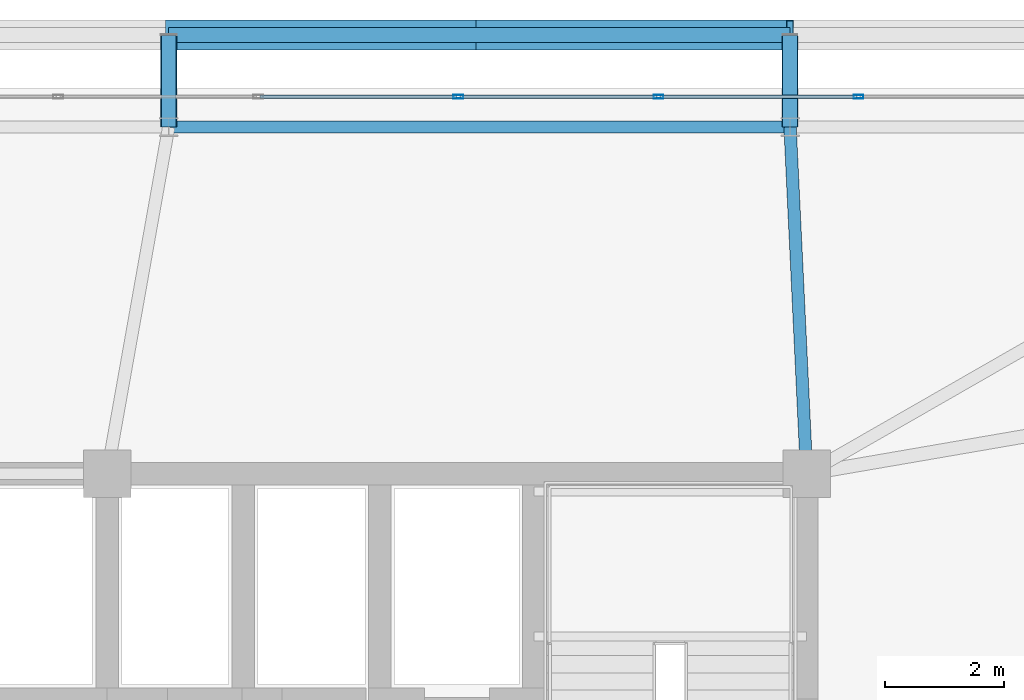
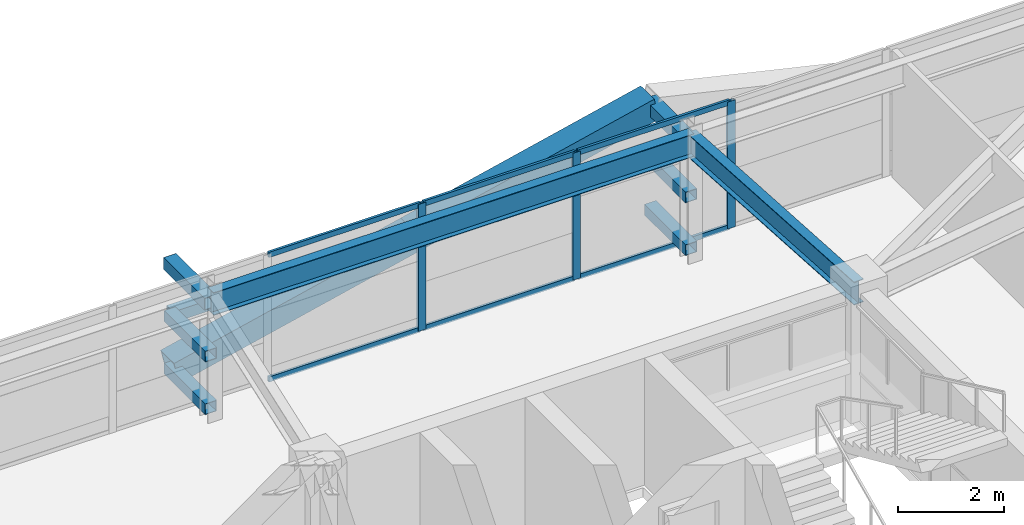
# One storey, part 38 of 58: 18 members, 2 beams, 1 element without a shape of its own.
"""IFC4 building model written with IfcOpenShell, lengths in metres."""

from ifc_helpers import new_model, si_unit, direction, frame, origin, origin_2d, place, context, subcontext, project, spatial, hollow_rectangle, i_section, extrude, source, transform, mapped, material, layer, layer_set, material_profile, profile_set, type_object, element, aggregate, save


model = new_model("IFC4")

# Units and contexts
model_context = context("Model", 3, precision=1e-05, world=origin(), true_north=direction((0.0, 1.0)))
body_context = subcontext(model_context, "Body", "Model", "MODEL_VIEW")
ifc_project = project(units=[si_unit("LENGTHUNIT", "METRE"), si_unit("AREAUNIT", "SQUARE_METRE"), si_unit("VOLUMEUNIT", "CUBIC_METRE"), si_unit("PLANEANGLEUNIT", "RADIAN"), si_unit("MASSUNIT", "GRAM", prefix="KILO")], contexts=[model_context])

# Site, building, storey
site_placement = place(None, origin())
site = spatial("IfcSite", under=ifc_project, at=site_placement, CompositionType="ELEMENT")
building_placement = place(site_placement, origin())
building = spatial("IfcBuilding", under=site, at=building_placement, Name="Taldren Reach Tower", CompositionType="ELEMENT")
storey_placement = place(building_placement, frame((0.0, 0.0, 32.550048828125)))
storey = spatial("IfcBuildingStorey", under=building, at=storey_placement, Name="L09", CompositionType="ELEMENT", Elevation=32.550048828125)

# Beams
ifc_material_1 = material(Name="Steel Gr 350 (350PLUS)", Category="steel")
ifc_material_profile_1 = material_profile(ifc_material_1, i_section(OverallWidth=0.208984375, OverallDepth=0.528076171875, WebThickness=0.009521484375, FlangeThickness=0.01318359375, at=origin_2d()), Name="530UB82.0")
ifc_profile_set_1 = profile_set([ifc_material_profile_1], Name="Steel Gr 350 (350PLUS)")
beam_type_1 = type_object("IfcBeamType", Name="SP-UB530B", PredefinedType="SPANDREL", material=ifc_profile_set_1)
shared_shape_1 = source(origin(), body_context, "Body", "SweptSolid", [
    extrude(i_section(OverallWidth=0.208984375, OverallDepth=0.528076171875, WebThickness=0.009521484375, FlangeThickness=0.01318359375, at=origin_2d()), origin(), (0.0, 0.0, 1.0), 10.47998046875),
])
beam_1_placement = place(storey_placement, frame((50.719970703125, 37.85009765625, 2.666015625), z_axis=(-1.0, 0.0, 0.0), x_axis=(0.0, -1.0, 0.0)))
element("IfcBeam", 1, at=beam_1_placement, inside=storey, type_object=beam_type_1, Name="Perimeter spandrel B1 N5-N4 L09", PredefinedType="SPANDREL", context=body_context, shape_type="MappedRepresentation", body=[
    mapped(shared_shape_1, transform((0.0, 0.0, 0.0), scale=1.0)),
])
ifc_material_profile_2 = material_profile(ifc_material_1, i_section(OverallWidth=0.208984375, OverallDepth=0.532958984375, WebThickness=0.01025390625, FlangeThickness=0.015625, at=origin_2d()), Name="530UB92.4")
ifc_profile_set_2 = profile_set([ifc_material_profile_2], Name="Steel Gr 350 (350PLUS)")
beam_type_2 = type_object("IfcBeamType", Name="BM-UB530A", PredefinedType="BEAM", material=ifc_profile_set_2)
shared_shape_2 = source(origin(), body_context, "Body", "SweptSolid", [
    extrude(i_section(OverallWidth=0.208984375, OverallDepth=0.532958984375, WebThickness=0.01025390625, FlangeThickness=0.015625, at=origin_2d()), origin(), (0.0, 0.0, 1.0), 5.856689453125),
])
beam_2_placement = place(storey_placement, frame((51.0, 32.0, 2.663330078125), z_axis=(-0.047812711672, 0.998856318297, 0.0), x_axis=(-0.998856318297, -0.047812711672, 0.0)))
element("IfcBeam", 2, at=beam_2_placement, inside=storey, type_object=beam_type_2, Name="Primary floor girder B1-N5 L09", PredefinedType="BEAM", context=body_context, shape_type="MappedRepresentation", body=[
    mapped(shared_shape_2, transform((0.0, 0.0, 0.0), scale=1.0)),
])

# Members
ifc_material_2 = material(Name="Steel Gr 450 (C450L0)", Category="steel")
ifc_material_profile_3 = material_profile(ifc_material_2, hollow_rectangle(XDim=0.27490234375, YDim=0.27490234375, WallThickness=0.00927734375, at=origin_2d()), Name="275x275x9.3SHS")
ifc_profile_set_3 = profile_set([ifc_material_profile_3], Name="Steel Gr 450 (C450L0)")
member_type_1 = type_object("IfcMemberType", Name="MB-TIE273", PredefinedType="STRUT", material=ifc_profile_set_3)
shared_shape_3 = source(origin(), body_context, "Body", "SweptSolid", [
    extrude(hollow_rectangle(XDim=0.27490234375, YDim=0.27490234375, WallThickness=0.00927734375, at=origin_2d()), origin(), (0.0, 0.0, 1.0), 1.5498046875),
])
for number, where, z_axis, x_axis, name in (
    (3, (40.239990234375, 37.85009765625, 2.64990234375), (0.0, 1.0, 0.0), (-1.0, 0.0, 0.0), "Exoskeleton diaphragm tie strut B1-N4 L09"),
    (4, (50.719970703125, 37.85009765625, 2.64990234375), (0.0, 1.0, 0.0), (-1.0, 0.0, 0.0), "Exoskeleton diaphragm tie strut B1-N5 L09"),
):
    element("IfcMember", number, at=place(storey_placement, frame(where, z_axis=z_axis, x_axis=x_axis)), inside=storey, type_object=member_type_1, Name=name, PredefinedType="STRUT", context=body_context, shape_type="MappedRepresentation", body=[
        mapped(shared_shape_3, transform((0.0, 0.0, 0.0), scale=1.0)),
    ])
ifc_material_profile_4 = material_profile(ifc_material_2, hollow_rectangle(XDim=0.510009765625, YDim=0.510009765625, WallThickness=0.02001953125, at=origin_2d()), Name="510x510x20.0SHS")
ifc_profile_set_4 = profile_set([ifc_material_profile_4], Name="Steel Gr 450 (C450L0)")
member_type_2 = type_object("IfcMemberType", Name="MB-EXO508", PredefinedType="BRACE", material=ifc_profile_set_4)
shared_shape_4 = source(origin(), body_context, "Body", "SweptSolid", [
    extrude(hollow_rectangle(XDim=0.510009765625, YDim=0.510009765625, WallThickness=0.02001953125, at=origin_2d()), origin(), (0.0, 0.0, 1.0), 5.37890625),
])
for number, where, z_axis, x_axis, name in (
    (5, (40.239990234375, 39.39990234375, 0.219970703125), (0.97415197996, 0.0, 0.225893603143), (0.0, 1.0, 0.0), "Exoskeleton Diagrid Brace B1-N4 L09"),
    (6, (45.47998046875, 39.39990234375, 1.43505859375), (0.974161966843, 0.0, 0.225850531007), (0.0, 1.0, 0.0), "Exoskeleton Diagrid Brace B1-N4 L09"),
):
    element("IfcMember", number, at=place(storey_placement, frame(where, z_axis=z_axis, x_axis=x_axis)), inside=storey, type_object=member_type_2, Name=name, PredefinedType="BRACE", context=body_context, shape_type="MappedRepresentation", body=[
        mapped(shared_shape_4, transform((0.0, 0.0, 0.0), scale=1.0)),
    ])
ifc_material_3 = material(Name="Steel Gr 350 (C350L0)", Category="steel")
ifc_material_profile_5 = material_profile(ifc_material_3, hollow_rectangle(XDim=0.25, YDim=0.25, WallThickness=0.010009765625, at=origin_2d()), Name="250x250x10.0SHS")
ifc_profile_set_5 = profile_set([ifc_material_profile_5], Name="Steel Gr 350 (C350L0)")
member_type_3 = type_object("IfcMemberType", Name="MB-POST250", PredefinedType="POST", material=ifc_profile_set_5)
shared_shape_5 = source(origin(), body_context, "Body", "SweptSolid", [
    extrude(hollow_rectangle(XDim=0.25, YDim=0.25, WallThickness=0.010009765625, at=origin_2d()), origin(), (0.0, 0.0, 1.0), 10.47998046875),
])
member_1_placement = place(storey_placement, frame((40.239990234375, 39.39990234375, 1.43505859375), z_axis=(1.0, 0.0, 0.0), x_axis=(0.0, 1.0, 0.0)))
element("IfcMember", 7, at=member_1_placement, inside=storey, type_object=member_type_3, Name="Exoskeleton mid-height ring chord B1-N4 L09", PredefinedType="POST", context=body_context, shape_type="MappedRepresentation", body=[
    mapped(shared_shape_5, transform((0.0, 0.0, 0.0), scale=1.0)),
])
shared_shape_6 = source(origin(), body_context, "Body", "SweptSolid", [
    extrude(hollow_rectangle(XDim=0.25, YDim=0.25, WallThickness=0.010009765625, at=origin_2d()), origin(), (0.0, 0.0, 1.0), 1.5498046875),
])
for number, where, z_axis, x_axis, name in (
    (8, (40.239990234375, 37.85009765625, 0.219970703125), (0.0, 1.0, 0.0), (-1.0, 0.0, 0.0), "Exoskeleton base diaphragm tie strut B1-N4 L09"),
    (9, (50.719970703125, 37.85009765625, 0.219970703125), (0.0, 1.0, 0.0), (-1.0, 0.0, 0.0), "Exoskeleton base diaphragm tie strut B1-N5 L09"),
    (10, (40.239990234375, 37.85009765625, 1.43505859375), (0.0, 1.0, 0.0), (-1.0, 0.0, 0.0), "Exoskeleton mid-tier diaphragm tie B1-N4 L09"),
    (11, (50.719970703125, 37.85009765625, 1.43505859375), (0.0, 1.0, 0.0), (-1.0, 0.0, 0.0), "Exoskeleton mid-tier diaphragm tie B1-N5 L09"),
):
    element("IfcMember", number, at=place(storey_placement, frame(where, z_axis=z_axis, x_axis=x_axis)), inside=storey, type_object=member_type_3, Name=name, PredefinedType="POST", context=body_context, shape_type="MappedRepresentation", body=[
        mapped(shared_shape_6, transform((0.0, 0.0, 0.0), scale=1.0)),
    ])

# Curtain wall, members
ifc_material_4 = material(Name="Aluminium and Low-E Glass Unitised System", Category="aluminium")
ifc_layer = layer(ifc_material_4, 0.159912109375)
ifc_layer_set = layer_set([ifc_layer], Name="Aluminium and Low-E Glass Unitised System")
curtain_wall_type = type_object("IfcCurtainWallType", Name="CW-SYS-2", PredefinedType="NOTDEFINED", material=ifc_layer_set)
curtain_wall_placement = place(storey_placement, origin())
curtain_wall = element("IfcCurtainWall", 12, at=curtain_wall_placement, inside=storey, type_object=curtain_wall_type, Name="Unitised curtain wall CW-L09-N", PredefinedType="NOTDEFINED")
ifc_material_5 = material(Name="Anodised Aluminium 6063-T6", Category="aluminium")
ifc_material_profile_6 = material_profile(ifc_material_5, hollow_rectangle(XDim=0.06494140625, YDim=0.1650390625, WallThickness=0.00390625, at=origin_2d()), Name="ALU-165x65x4RHS")
ifc_profile_set_6 = profile_set([ifc_material_profile_6], Name="Anodised Aluminium 6063-T6")
member_type_4 = type_object("IfcMemberType", Name="CW-MUL-165", PredefinedType="MULLION", material=ifc_profile_set_6)
shared_shape_7 = source(origin(), body_context, "Body", "SweptSolid", [
    extrude(hollow_rectangle(XDim=0.06494140625, YDim=0.1650390625, WallThickness=0.00390625, at=origin_2d()), origin(), (0.0, 0.0, 1.0), 2.929931640625),
])
member_2_placement = place(storey_placement, frame((51.875, 38.360107421875, 0.0), z_axis=(0.0, 0.0, 1.0), x_axis=(0.0, -1.0, 0.0)))
member_2 = element("IfcMember", 13, at=member_2_placement, type_object=member_type_4, Name="CW-2 mullion 4", PredefinedType="MULLION", context=body_context, shape_type="MappedRepresentation", body=[
    mapped(shared_shape_7, transform((0.0, 0.0, 0.0), scale=1.0)),
])
member_3_placement = place(storey_placement, frame((48.5, 38.360107421875, 0.0), z_axis=(0.0, 0.0, 1.0), x_axis=(0.0, -1.0, 0.0)))
member_3 = element("IfcMember", 14, at=member_3_placement, type_object=member_type_4, Name="CW-2 mullion 5", PredefinedType="MULLION", context=body_context, shape_type="MappedRepresentation", body=[
    mapped(shared_shape_7, transform((0.0, 0.0, 0.0), scale=1.0)),
])
member_4_placement = place(storey_placement, frame((45.125, 38.360107421875, 0.0), z_axis=(0.0, 0.0, 1.0), x_axis=(0.0, -1.0, 0.0)))
member_4 = element("IfcMember", 15, at=member_4_placement, type_object=member_type_4, Name="CW-2 mullion 6", PredefinedType="MULLION", context=body_context, shape_type="MappedRepresentation", body=[
    mapped(shared_shape_7, transform((0.0, 0.0, 0.0), scale=1.0)),
])
ifc_material_profile_7 = material_profile(ifc_material_5, hollow_rectangle(XDim=0.054931640625, YDim=0.1201171875, WallThickness=0.0029296875, at=origin_2d()), Name="ALU-120x55x3RHS")
ifc_profile_set_7 = profile_set([ifc_material_profile_7], Name="Anodised Aluminium 6063-T6")
member_type_5 = type_object("IfcMemberType", Name="CW-TRN-135", PredefinedType="USERDEFINED", material=ifc_profile_set_7)
shared_shape_8 = source(origin(), body_context, "Body", "SweptSolid", [
    extrude(hollow_rectangle(XDim=0.054931640625, YDim=0.1201171875, WallThickness=0.0029296875, at=origin_2d()), origin(), (0.0, 0.0, 1.0), 3.31005859375),
])
member_5_placement = place(storey_placement, frame((51.842529296875, 38.360107421875, 0.02734375), z_axis=(-1.0, 0.0, 0.0), x_axis=(0.0, -1.0, 0.0)))
member_5 = element("IfcMember", 16, at=member_5_placement, type_object=member_type_5, Name="CW-2 transom 4.1", ObjectType="TRANSOM", PredefinedType="USERDEFINED", context=body_context, shape_type="MappedRepresentation", body=[
    mapped(shared_shape_8, transform((0.0, 0.0, 0.0), scale=1.0)),
])
member_6_placement = place(storey_placement, frame((51.842529296875, 38.360107421875, 2.90234375), z_axis=(-1.0, 0.0, 0.0), x_axis=(0.0, -1.0, 0.0)))
member_6 = element("IfcMember", 17, at=member_6_placement, type_object=member_type_5, Name="CW-2 transom 4.2", ObjectType="TRANSOM", PredefinedType="USERDEFINED", context=body_context, shape_type="MappedRepresentation", body=[
    mapped(shared_shape_8, transform((0.0, 0.0, 0.0), scale=1.0)),
])
member_7_placement = place(storey_placement, frame((48.467529296875, 38.360107421875, 0.02734375), z_axis=(-1.0, 0.0, 0.0), x_axis=(0.0, -1.0, 0.0)))
member_7 = element("IfcMember", 18, at=member_7_placement, type_object=member_type_5, Name="CW-2 transom 5.1", ObjectType="TRANSOM", PredefinedType="USERDEFINED", context=body_context, shape_type="MappedRepresentation", body=[
    mapped(shared_shape_8, transform((0.0, 0.0, 0.0), scale=1.0)),
])
member_8_placement = place(storey_placement, frame((48.467529296875, 38.360107421875, 2.90234375), z_axis=(-1.0, 0.0, 0.0), x_axis=(0.0, -1.0, 0.0)))
member_8 = element("IfcMember", 19, at=member_8_placement, type_object=member_type_5, Name="CW-2 transom 5.2", ObjectType="TRANSOM", PredefinedType="USERDEFINED", context=body_context, shape_type="MappedRepresentation", body=[
    mapped(shared_shape_8, transform((0.0, 0.0, 0.0), scale=1.0)),
])
member_9_placement = place(storey_placement, frame((45.092529296875, 38.360107421875, 0.02734375), z_axis=(-1.0, 0.0, 0.0), x_axis=(0.0, -1.0, 0.0)))
member_9 = element("IfcMember", 20, at=member_9_placement, type_object=member_type_5, Name="CW-2 transom 6.1", ObjectType="TRANSOM", PredefinedType="USERDEFINED", context=body_context, shape_type="MappedRepresentation", body=[
    mapped(shared_shape_8, transform((0.0, 0.0, 0.0), scale=1.0)),
])
member_10_placement = place(storey_placement, frame((45.092529296875, 38.360107421875, 2.90234375), z_axis=(-1.0, 0.0, 0.0), x_axis=(0.0, -1.0, 0.0)))
member_10 = element("IfcMember", 21, at=member_10_placement, type_object=member_type_5, Name="CW-2 transom 6.2", ObjectType="TRANSOM", PredefinedType="USERDEFINED", context=body_context, shape_type="MappedRepresentation", body=[
    mapped(shared_shape_8, transform((0.0, 0.0, 0.0), scale=1.0)),
])
aggregate(curtain_wall, [member_2, member_3, member_4, member_5, member_6, member_7, member_8, member_9, member_10])

save(model, "model.ifc")
